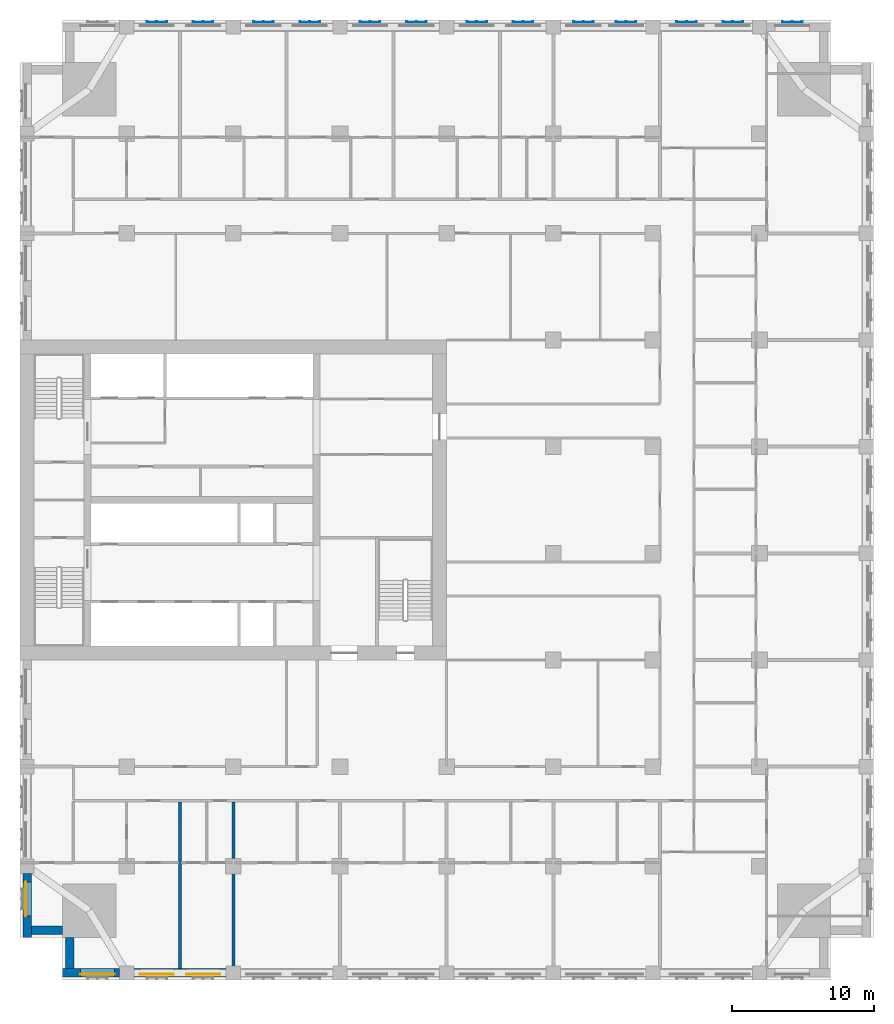
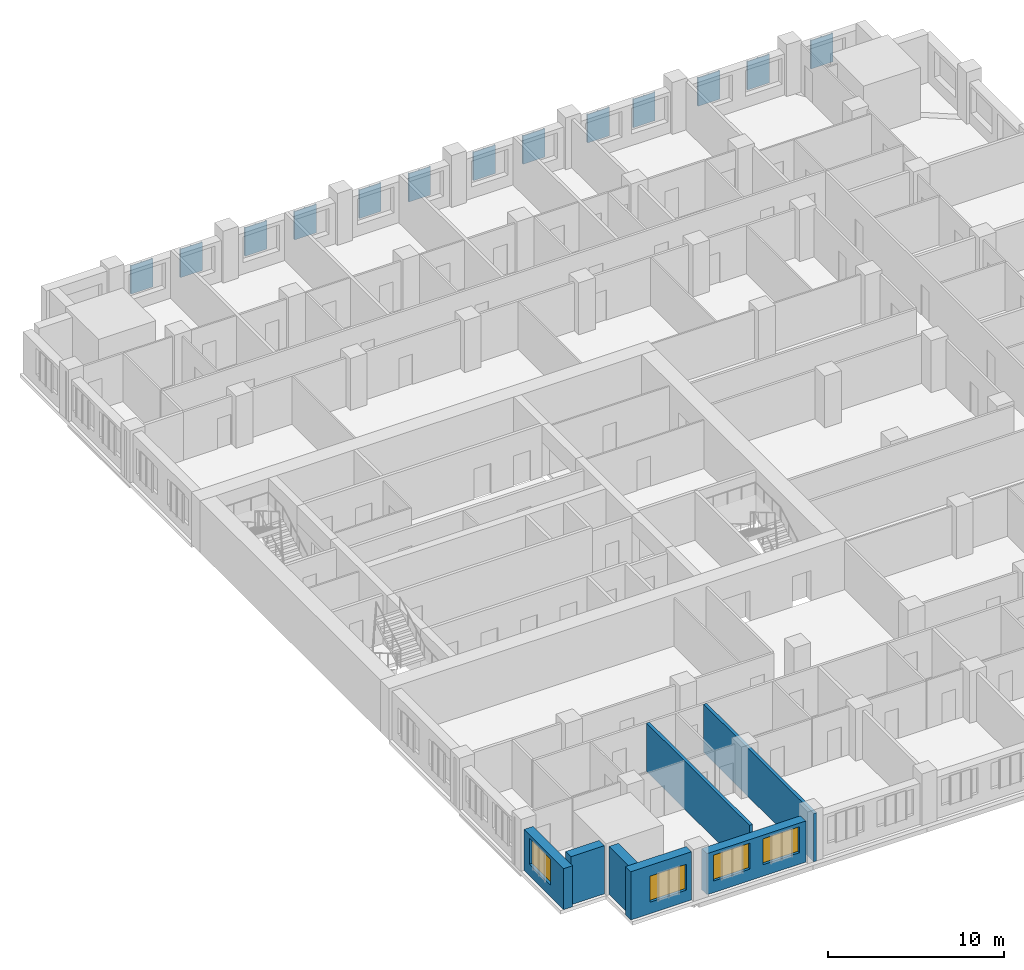
# One storey, part 3 of 14: 13 plates, 7 walls, 4 windows, 4 openings.
"""IFC4 building model written with IfcOpenShell, lengths in metres."""

from ifc_helpers import new_model, si_unit, direction, frame, frame_2d, origin, place, context, subcontext, project, spatial, polyline, rectangle, outline, extrude, material, layer, layer_set, type_object, element, fill, save


model = new_model("IFC4")

# Units and contexts
model_context = context("Model", 3, precision=1e-05, world=origin(), true_north=direction((0.0, 1.0)))
body_context = subcontext(model_context, "Body", "Model", "MODEL_VIEW")
ifc_project = project(units=[si_unit("LENGTHUNIT", "METRE"), si_unit("AREAUNIT", "SQUARE_METRE"), si_unit("VOLUMEUNIT", "CUBIC_METRE"), si_unit("PLANEANGLEUNIT", "RADIAN"), si_unit("MASSUNIT", "GRAM", prefix="KILO")], contexts=[model_context])

# Site, building, storey
site_placement = place(None, origin())
site = spatial("IfcSite", under=ifc_project, at=site_placement, CompositionType="ELEMENT")
building_placement = place(site_placement, origin())
building = spatial("IfcBuilding", under=site, at=building_placement, Name="Tamorin Gate", CompositionType="ELEMENT")
storey_placement = place(building_placement, frame((0.0, 0.0, 100.699951171875)))
storey = spatial("IfcBuildingStorey", under=building, at=storey_placement, Name="L24", CompositionType="ELEMENT", Elevation=100.699951171875)

# Plates
ifc_material_1 = material(Name="Perforated pale aluminium sheet", Category="aluminium")
ifc_layer_1 = layer(ifc_material_1, 0.0400390625)
ifc_layer_set_1 = layer_set([ifc_layer_1], Name="Pale metal solar screen 1440")
plate_type = type_object("IfcPlateType", Name="Pale metal solar screen 1440", PredefinedType="SHEET", material=ifc_layer_set_1)
plate_1_placement = place(storey_placement, frame((0.0, 0.0, 0.7099609375)))
element("IfcPlate", 1, at=plate_1_placement, inside=storey, type_object=plate_type, Name="Perforated solar screen", PredefinedType="SHEET", context=body_context, shape_type="SweptSolid", body=[
    extrude(outline(polyline([(85.02001953125, 104.840087890625), (85.02001953125, 104.800048828125), (84.9599609375, 104.800048828125), (84.330078125, 104.800048828125), (84.27001953125, 104.800048828125), (83.639892578125, 104.800048828125), (83.580078125, 104.800048828125), (83.580078125, 104.840087890625), (83.580078125, 104.89990234375), (83.639892578125, 104.89990234375), (83.639892578125, 104.840087890625), (84.27001953125, 104.840087890625), (84.27001953125, 104.89990234375), (84.330078125, 104.89990234375), (84.330078125, 104.840087890625), (84.9599609375, 104.840087890625), (84.9599609375, 104.89990234375), (85.02001953125, 104.89990234375), (85.02001953125, 104.840087890625)])), origin(), (0.0, 0.0, 1.0), 1.97998046875),
])
plate_2_placement = place(storey_placement, frame((0.0, 0.0, 0.7099609375)))
element("IfcPlate", 2, at=plate_2_placement, inside=storey, type_object=plate_type, Name="Perforated solar screen", PredefinedType="SHEET", context=body_context, shape_type="SweptSolid", body=[
    extrude(outline(polyline([(77.594970703125, 104.840087890625), (77.594970703125, 104.800048828125), (77.534912109375, 104.800048828125), (76.905029296875, 104.800048828125), (76.844970703125, 104.800048828125), (76.215087890625, 104.800048828125), (76.155029296875, 104.800048828125), (76.155029296875, 104.840087890625), (76.155029296875, 104.89990234375), (76.215087890625, 104.89990234375), (76.215087890625, 104.840087890625), (76.844970703125, 104.840087890625), (76.844970703125, 104.89990234375), (76.905029296875, 104.89990234375), (76.905029296875, 104.840087890625), (77.534912109375, 104.840087890625), (77.534912109375, 104.89990234375), (77.594970703125, 104.89990234375), (77.594970703125, 104.840087890625)])), origin(), (0.0, 0.0, 1.0), 1.97998046875),
])
plate_3_placement = place(storey_placement, frame((0.0, 0.0, 0.7099609375)))
element("IfcPlate", 3, at=plate_3_placement, inside=storey, type_object=plate_type, Name="Perforated solar screen", PredefinedType="SHEET", context=body_context, shape_type="SweptSolid", body=[
    extrude(outline(polyline([(80.844970703125, 104.840087890625), (80.844970703125, 104.800048828125), (80.784912109375, 104.800048828125), (80.155029296875, 104.800048828125), (80.094970703125, 104.800048828125), (79.465087890625, 104.800048828125), (79.405029296875, 104.800048828125), (79.405029296875, 104.800048828125), (79.405029296875, 104.840087890625), (79.405029296875, 104.840087890625), (79.405029296875, 104.89990234375), (79.465087890625, 104.89990234375), (79.465087890625, 104.840087890625), (80.094970703125, 104.840087890625), (80.094970703125, 104.89990234375), (80.155029296875, 104.89990234375), (80.155029296875, 104.840087890625), (80.784912109375, 104.840087890625), (80.784912109375, 104.89990234375), (80.844970703125, 104.89990234375), (80.844970703125, 104.840087890625)])), origin(), (0.0, 0.0, 1.0), 1.97998046875),
])
plate_4_placement = place(storey_placement, frame((0.0, 0.0, 0.7099609375)))
element("IfcPlate", 4, at=plate_4_placement, inside=storey, type_object=plate_type, Name="Perforated solar screen", PredefinedType="SHEET", context=body_context, shape_type="SweptSolid", body=[
    extrude(outline(polyline([(70.344970703125, 104.840087890625), (70.344970703125, 104.800048828125), (70.284912109375, 104.800048828125), (69.655029296875, 104.800048828125), (69.594970703125, 104.800048828125), (68.965087890625, 104.800048828125), (68.905029296875, 104.800048828125), (68.905029296875, 104.840087890625), (68.905029296875, 104.89990234375), (68.965087890625, 104.89990234375), (68.965087890625, 104.840087890625), (69.594970703125, 104.840087890625), (69.594970703125, 104.89990234375), (69.655029296875, 104.89990234375), (69.655029296875, 104.840087890625), (70.284912109375, 104.840087890625), (70.284912109375, 104.89990234375), (70.344970703125, 104.89990234375), (70.344970703125, 104.840087890625)])), origin(), (0.0, 0.0, 1.0), 1.97998046875),
])
plate_5_placement = place(storey_placement, frame((0.0, 0.0, 0.7099609375)))
element("IfcPlate", 5, at=plate_5_placement, inside=storey, type_object=plate_type, Name="Perforated solar screen", PredefinedType="SHEET", context=body_context, shape_type="SweptSolid", body=[
    extrude(outline(polyline([(73.344970703125, 104.840087890625), (73.344970703125, 104.800048828125), (73.284912109375, 104.800048828125), (72.655029296875, 104.800048828125), (72.594970703125, 104.800048828125), (71.965087890625, 104.800048828125), (71.905029296875, 104.800048828125), (71.905029296875, 104.840087890625), (71.905029296875, 104.89990234375), (71.965087890625, 104.89990234375), (71.965087890625, 104.840087890625), (72.594970703125, 104.840087890625), (72.594970703125, 104.89990234375), (72.655029296875, 104.89990234375), (72.655029296875, 104.840087890625), (73.284912109375, 104.840087890625), (73.284912109375, 104.89990234375), (73.344970703125, 104.89990234375), (73.344970703125, 104.840087890625)])), origin(), (0.0, 0.0, 1.0), 1.97998046875),
])
plate_6_placement = place(storey_placement, frame((0.0, 0.0, 0.7099609375)))
element("IfcPlate", 6, at=plate_6_placement, inside=storey, type_object=plate_type, Name="Perforated solar screen", PredefinedType="SHEET", context=body_context, shape_type="SweptSolid", body=[
    extrude(outline(polyline([(62.844970703125, 104.840087890625), (62.844970703125, 104.800048828125), (62.784912109375, 104.800048828125), (62.155029296875, 104.800048828125), (62.094970703125, 104.800048828125), (61.465087890625, 104.800048828125), (61.405029296875, 104.800048828125), (61.405029296875, 104.840087890625), (61.405029296875, 104.89990234375), (61.465087890625, 104.89990234375), (61.465087890625, 104.840087890625), (62.094970703125, 104.840087890625), (62.094970703125, 104.89990234375), (62.155029296875, 104.89990234375), (62.155029296875, 104.840087890625), (62.784912109375, 104.840087890625), (62.784912109375, 104.89990234375), (62.844970703125, 104.89990234375), (62.844970703125, 104.840087890625)])), origin(), (0.0, 0.0, 1.0), 1.97998046875),
])
plate_7_placement = place(storey_placement, frame((0.0, 0.0, 0.7099609375)))
element("IfcPlate", 7, at=plate_7_placement, inside=storey, type_object=plate_type, Name="Perforated solar screen", PredefinedType="SHEET", context=body_context, shape_type="SweptSolid", body=[
    extrude(outline(polyline([(66.094970703125, 104.840087890625), (66.094970703125, 104.800048828125), (66.034912109375, 104.800048828125), (65.405029296875, 104.800048828125), (65.344970703125, 104.800048828125), (64.715087890625, 104.800048828125), (64.655029296875, 104.800048828125), (64.655029296875, 104.840087890625), (64.655029296875, 104.89990234375), (64.715087890625, 104.89990234375), (64.715087890625, 104.840087890625), (65.344970703125, 104.840087890625), (65.344970703125, 104.89990234375), (65.405029296875, 104.89990234375), (65.405029296875, 104.840087890625), (66.034912109375, 104.840087890625), (66.034912109375, 104.89990234375), (66.094970703125, 104.89990234375), (66.094970703125, 104.840087890625)])), origin(), (0.0, 0.0, 1.0), 1.97998046875),
])
plate_8_placement = place(storey_placement, frame((0.0, 0.0, 0.7099609375)))
element("IfcPlate", 8, at=plate_8_placement, inside=storey, type_object=plate_type, Name="Perforated solar screen", PredefinedType="SHEET", context=body_context, shape_type="SweptSolid", body=[
    extrude(outline(polyline([(55.344970703125, 104.840087890625), (55.344970703125, 104.800048828125), (55.284912109375, 104.800048828125), (54.655029296875, 104.800048828125), (54.594970703125, 104.800048828125), (53.965087890625, 104.800048828125), (53.905029296875, 104.800048828125), (53.905029296875, 104.840087890625), (53.905029296875, 104.89990234375), (53.965087890625, 104.89990234375), (53.965087890625, 104.840087890625), (54.594970703125, 104.840087890625), (54.594970703125, 104.89990234375), (54.655029296875, 104.89990234375), (54.655029296875, 104.840087890625), (55.284912109375, 104.840087890625), (55.284912109375, 104.89990234375), (55.344970703125, 104.89990234375), (55.344970703125, 104.840087890625)])), origin(), (0.0, 0.0, 1.0), 1.97998046875),
])
plate_9_placement = place(storey_placement, frame((0.0, 0.0, 0.7099609375)))
element("IfcPlate", 9, at=plate_9_placement, inside=storey, type_object=plate_type, Name="Perforated solar screen", PredefinedType="SHEET", context=body_context, shape_type="SweptSolid", body=[
    extrude(outline(polyline([(58.594970703125, 104.840087890625), (58.594970703125, 104.800048828125), (58.534912109375, 104.800048828125), (57.905029296875, 104.800048828125), (57.844970703125, 104.800048828125), (57.215087890625, 104.800048828125), (57.155029296875, 104.800048828125), (57.155029296875, 104.840087890625), (57.155029296875, 104.89990234375), (57.215087890625, 104.89990234375), (57.215087890625, 104.840087890625), (57.844970703125, 104.840087890625), (57.844970703125, 104.89990234375), (57.905029296875, 104.89990234375), (57.905029296875, 104.840087890625), (58.534912109375, 104.840087890625), (58.534912109375, 104.89990234375), (58.594970703125, 104.89990234375), (58.594970703125, 104.840087890625)])), origin(), (0.0, 0.0, 1.0), 1.97998046875),
])
plate_10_placement = place(storey_placement, frame((0.0, 0.0, 0.7099609375)))
element("IfcPlate", 10, at=plate_10_placement, inside=storey, type_object=plate_type, Name="Perforated solar screen", PredefinedType="SHEET", context=body_context, shape_type="SweptSolid", body=[
    extrude(outline(polyline([(47.844970703125, 104.840087890625), (47.844970703125, 104.800048828125), (47.784912109375, 104.800048828125), (47.155029296875, 104.800048828125), (47.094970703125, 104.800048828125), (46.465087890625, 104.800048828125), (46.405029296875, 104.800048828125), (46.405029296875, 104.840087890625), (46.405029296875, 104.89990234375), (46.465087890625, 104.89990234375), (46.465087890625, 104.840087890625), (47.094970703125, 104.840087890625), (47.094970703125, 104.89990234375), (47.155029296875, 104.89990234375), (47.155029296875, 104.840087890625), (47.784912109375, 104.840087890625), (47.784912109375, 104.89990234375), (47.844970703125, 104.89990234375), (47.844970703125, 104.840087890625)])), origin(), (0.0, 0.0, 1.0), 1.97998046875),
])
plate_11_placement = place(storey_placement, frame((0.0, 0.0, 0.7099609375)))
element("IfcPlate", 11, at=plate_11_placement, inside=storey, type_object=plate_type, Name="Perforated solar screen", PredefinedType="SHEET", context=body_context, shape_type="SweptSolid", body=[
    extrude(outline(polyline([(51.094970703125, 104.840087890625), (51.094970703125, 104.800048828125), (51.034912109375, 104.800048828125), (50.405029296875, 104.800048828125), (50.344970703125, 104.800048828125), (49.715087890625, 104.800048828125), (49.655029296875, 104.800048828125), (49.655029296875, 104.840087890625), (49.655029296875, 104.89990234375), (49.715087890625, 104.89990234375), (49.715087890625, 104.840087890625), (50.344970703125, 104.840087890625), (50.344970703125, 104.89990234375), (50.405029296875, 104.89990234375), (50.405029296875, 104.840087890625), (51.034912109375, 104.840087890625), (51.034912109375, 104.89990234375), (51.094970703125, 104.89990234375), (51.094970703125, 104.840087890625)])), origin(), (0.0, 0.0, 1.0), 1.97998046875),
])
plate_12_placement = place(storey_placement, frame((0.0, 0.0, 0.7099609375)))
element("IfcPlate", 12, at=plate_12_placement, inside=storey, type_object=plate_type, Name="Perforated solar screen", PredefinedType="SHEET", context=body_context, shape_type="SweptSolid", body=[
    extrude(outline(polyline([(40.344970703125, 104.840087890625), (40.344970703125, 104.800048828125), (40.284912109375, 104.800048828125), (39.655029296875, 104.800048828125), (39.594970703125, 104.800048828125), (38.965087890625, 104.800048828125), (38.905029296875, 104.800048828125), (38.905029296875, 104.840087890625), (38.905029296875, 104.89990234375), (38.965087890625, 104.89990234375), (38.965087890625, 104.840087890625), (39.594970703125, 104.840087890625), (39.594970703125, 104.89990234375), (39.655029296875, 104.89990234375), (39.655029296875, 104.840087890625), (40.284912109375, 104.840087890625), (40.284912109375, 104.89990234375), (40.344970703125, 104.89990234375), (40.344970703125, 104.840087890625)])), origin(), (0.0, 0.0, 1.0), 1.97998046875),
])
plate_13_placement = place(storey_placement, frame((0.0, 0.0, 0.7099609375)))
element("IfcPlate", 13, at=plate_13_placement, inside=storey, type_object=plate_type, Name="Perforated solar screen", PredefinedType="SHEET", context=body_context, shape_type="SweptSolid", body=[
    extrude(outline(polyline([(43.594970703125, 104.840087890625), (43.594970703125, 104.800048828125), (43.534912109375, 104.800048828125), (42.905029296875, 104.800048828125), (42.844970703125, 104.800048828125), (42.215087890625, 104.800048828125), (42.155029296875, 104.800048828125), (42.155029296875, 104.840087890625), (42.155029296875, 104.89990234375), (42.215087890625, 104.89990234375), (42.215087890625, 104.840087890625), (42.844970703125, 104.840087890625), (42.844970703125, 104.89990234375), (42.905029296875, 104.89990234375), (42.905029296875, 104.840087890625), (43.534912109375, 104.840087890625), (43.534912109375, 104.89990234375), (43.594970703125, 104.89990234375), (43.594970703125, 104.840087890625)])), origin(), (0.0, 0.0, 1.0), 1.97998046875),
])

# Wall, opening, window
ifc_material_2 = material(Name="Precast concrete C40/50", Category="concrete")
ifc_layer_2 = layer(ifc_material_2, 0.60009765625)
ifc_layer_set_2 = layer_set([ifc_layer_2], Name="Precast concrete C40/50")
wall_type_1 = type_object("IfcWallType", Name="Board-marked concrete facade panel 600", PredefinedType="SOLIDWALL", material=ifc_layer_set_2)
wall_1_placement = place(storey_placement, frame((33.0, 38.0, 0.0), z_axis=(0.0, 0.0, 1.0), x_axis=(1.0, 0.0, 0.0)))
wall_1 = element("IfcWall", 14, at=wall_1_placement, inside=storey, type_object=wall_type_1, Name="Facade panel", PredefinedType="SOLIDWALL", context=body_context, shape_type="SweptSolid", body=[
    extrude(rectangle(XDim=4.0, YDim=0.60009765625, at=frame_2d((2.0, 0.0))), origin(), (0.0, 0.0, 1.0), 3.35009765625),
])
opening_1_placement = place(wall_1_placement, frame((1.25, 0.0, 0.800048828125)))
opening_1 = element("IfcOpeningElement", 15, at=opening_1_placement, cuts=wall_1, Name="Opening WN1", PredefinedType="OPENING", context=body_context, shape_type="SweptSolid", body=[
    extrude(rectangle(XDim=2.39990234375, YDim=1.800048828125, at=frame_2d((1.199951171875, 0.89990234375))), frame((0.0, 0.31005859375, 0.0), z_axis=(0.0, -1.0, 0.0), x_axis=(1.0, 0.0, 0.0)), (0.0, 0.0, 1.0), 0.6201171875),
])
ifc_material_3 = material(Name="Clear glass in aluminium frame", Category="aluminium")
window_type = type_object("IfcWindowType", Name="Deep-set window 2400x1800", PartitioningType="SINGLE_PANEL", PredefinedType="WINDOW", material=ifc_material_3)
window_1_placement = place(opening_1_placement, origin())
window_1 = element("IfcWindow", 16, at=window_1_placement, inside=storey, type_object=window_type, Name="Deep-set window", OverallHeight=1.800048828125, OverallWidth=2.39990234375, PartitioningType="SINGLE_PANEL", PredefinedType="WINDOW", context=body_context, shape_type="SweptSolid", body=[
    extrude(rectangle(XDim=2.39990234375, YDim=1.800048828125, at=frame_2d((1.199951171875, 0.89990234375))), frame((0.0, -0.070068359375, 0.0), z_axis=(0.0, -1.0, 0.0), x_axis=(1.0, 0.0, 0.0)), (0.0, 0.0, 1.0), 0.06005859375),
])
fill(opening_1, window_1)

# Wall, openings, windows
wall_2_placement = place(storey_placement, frame((38.0, 38.0, 0.0), z_axis=(0.0, 0.0, 1.0), x_axis=(1.0, 0.0, 0.0)))
wall_2 = element("IfcWall", 17, at=wall_2_placement, inside=storey, type_object=wall_type_1, Name="Facade panel", PredefinedType="SOLIDWALL", context=body_context, shape_type="SweptSolid", body=[
    extrude(rectangle(XDim=6.5, YDim=0.60009765625, at=frame_2d((3.25, 0.0))), origin(), (0.0, 0.0, 1.0), 2.85009765625),
])
opening_2_placement = place(wall_2_placement, frame((0.425048828125, 0.0, 0.800048828125)))
opening_2 = element("IfcOpeningElement", 18, at=opening_2_placement, cuts=wall_2, Name="Opening WN1", PredefinedType="OPENING", context=body_context, shape_type="SweptSolid", body=[
    extrude(rectangle(XDim=2.39990234375, YDim=1.800048828125, at=frame_2d((1.199951171875, 0.89990234375))), frame((0.0, 0.31005859375, 0.0), z_axis=(0.0, -1.0, 0.0), x_axis=(1.0, 0.0, 0.0)), (0.0, 0.0, 1.0), 0.6201171875),
])
opening_3_placement = place(wall_2_placement, frame((3.675048828125, 0.0, 0.800048828125)))
opening_3 = element("IfcOpeningElement", 19, at=opening_3_placement, cuts=wall_2, Name="Opening WN1", PredefinedType="OPENING", context=body_context, shape_type="SweptSolid", body=[
    extrude(rectangle(XDim=2.39990234375, YDim=1.800048828125, at=frame_2d((1.199951171875, 0.89990234375))), frame((0.0, 0.31005859375, 0.0), z_axis=(0.0, -1.0, 0.0), x_axis=(1.0, 0.0, 0.0)), (0.0, 0.0, 1.0), 0.6201171875),
])
window_2_placement = place(opening_2_placement, origin())
window_2 = element("IfcWindow", 20, at=window_2_placement, inside=storey, type_object=window_type, Name="Deep-set window", OverallHeight=1.800048828125, OverallWidth=2.39990234375, PartitioningType="SINGLE_PANEL", PredefinedType="WINDOW", context=body_context, shape_type="SweptSolid", body=[
    extrude(rectangle(XDim=2.39990234375, YDim=1.800048828125, at=frame_2d((1.199951171875, 0.89990234375))), frame((0.0, -0.070068359375, 0.0), z_axis=(0.0, -1.0, 0.0), x_axis=(1.0, 0.0, 0.0)), (0.0, 0.0, 1.0), 0.06005859375),
])
fill(opening_2, window_2)
window_3_placement = place(opening_3_placement, origin())
window_3 = element("IfcWindow", 21, at=window_3_placement, inside=storey, type_object=window_type, Name="Deep-set window", OverallHeight=1.800048828125, OverallWidth=2.39990234375, PartitioningType="SINGLE_PANEL", PredefinedType="WINDOW", context=body_context, shape_type="SweptSolid", body=[
    extrude(rectangle(XDim=2.39990234375, YDim=1.800048828125, at=frame_2d((1.199951171875, 0.89990234375))), frame((0.0, -0.070068359375, 0.0), z_axis=(0.0, -1.0, 0.0), x_axis=(1.0, 0.0, 0.0)), (0.0, 0.0, 1.0), 0.06005859375),
])
fill(opening_3, window_3)

# Wall, opening, window
wall_3_placement = place(storey_placement, frame((30.5, 45.0, 0.0), z_axis=(0.0, 0.0, 1.0), x_axis=(0.0, -1.0, 0.0)))
wall_3 = element("IfcWall", 22, at=wall_3_placement, inside=storey, type_object=wall_type_1, Name="Facade panel", PredefinedType="SOLIDWALL", context=body_context, shape_type="SweptSolid", body=[
    extrude(rectangle(XDim=4.5, YDim=0.60009765625, at=frame_2d((2.25, 0.0))), origin(), (0.0, 0.0, 1.0), 2.85009765625),
])
opening_4_placement = place(wall_3_placement, frame((0.60009765625, 0.0, 0.800048828125)))
opening_4 = element("IfcOpeningElement", 23, at=opening_4_placement, cuts=wall_3, Name="Opening WN1", PredefinedType="OPENING", context=body_context, shape_type="SweptSolid", body=[
    extrude(rectangle(XDim=2.39990234375, YDim=1.800048828125, at=frame_2d((1.199951171875, 0.89990234375))), frame((0.0, 0.31005859375, 0.0), z_axis=(0.0, -1.0, 0.0), x_axis=(1.0, 0.0, 0.0)), (0.0, 0.0, 1.0), 0.6201171875),
])
window_4_placement = place(opening_4_placement, origin())
window_4 = element("IfcWindow", 24, at=window_4_placement, inside=storey, type_object=window_type, Name="Deep-set window", OverallHeight=1.800048828125, OverallWidth=2.39990234375, PartitioningType="SINGLE_PANEL", PredefinedType="WINDOW", context=body_context, shape_type="SweptSolid", body=[
    extrude(rectangle(XDim=2.39990234375, YDim=1.800048828125, at=frame_2d((1.199951171875, 0.89990234375))), frame((0.0, -0.070068359375, 0.0), z_axis=(0.0, -1.0, 0.0), x_axis=(1.0, 0.0, 0.0)), (0.0, 0.0, 1.0), 0.06005859375),
])
fill(opening_4, window_4)

# Walls
for number, where, z_axis, x_axis, name in (
    (25, (30.800048828125, 41.0, 0.0), (0.0, 0.0, 1.0), (1.0, 0.0, 0.0), "Facade panel"),
    (26, (33.5, 40.5, 0.0), (0.0, 0.0, 1.0), (0.0, -1.0, 0.0), "Facade panel"),
):
    element("IfcWall", number, at=place(storey_placement, frame(where, z_axis=z_axis, x_axis=x_axis)), inside=storey, type_object=wall_type_1, Name=name, PredefinedType="SOLIDWALL", context=body_context, shape_type="SweptSolid", body=[
        extrude(rectangle(XDim=2.199951171875, YDim=0.60009765625, at=frame_2d((1.10009765625, 0.0))), origin(), (0.0, 0.0, 1.0), 3.35009765625),
    ])
ifc_material_4 = material(Name="Gypsum board partition")
ifc_layer_3 = layer(ifc_material_4, 0.199951171875)
ifc_layer_set_3 = layer_set([ifc_layer_3], Name="Demising wall 200")
wall_type_2 = type_object("IfcWallType", Name="Demising wall 200", PredefinedType="PARTITIONING", material=ifc_layer_set_3)
wall_4_placement = place(storey_placement, frame((41.25, 38.31005859375, 0.0), z_axis=(0.0, 0.0, 1.0), x_axis=(0.0, 1.0, 0.0)))
element("IfcWall", 27, at=wall_4_placement, inside=storey, type_object=wall_type_2, Name="Demising wall 200", PredefinedType="PARTITIONING", context=body_context, shape_type="SweptSolid", body=[
    extrude(rectangle(XDim=11.71484375, YDim=0.199951171875, at=frame_2d((5.857421875, 0.0))), origin(), (0.0, 0.0, 1.0), 3.35009765625),
])
wall_5_placement = place(storey_placement, frame((45.0, 37.5, 0.0), z_axis=(0.0, 0.0, 1.0), x_axis=(0.0, 1.0, 0.0)))
element("IfcWall", 28, at=wall_5_placement, inside=storey, type_object=wall_type_2, Name="Demising wall 200", PredefinedType="PARTITIONING", context=body_context, shape_type="SweptSolid", body=[
    extrude(rectangle(XDim=12.52490234375, YDim=0.199951171875, at=frame_2d((6.262451171875, 0.0))), origin(), (0.0, 0.0, 1.0), 3.35009765625),
])

save(model, "model.ifc")
